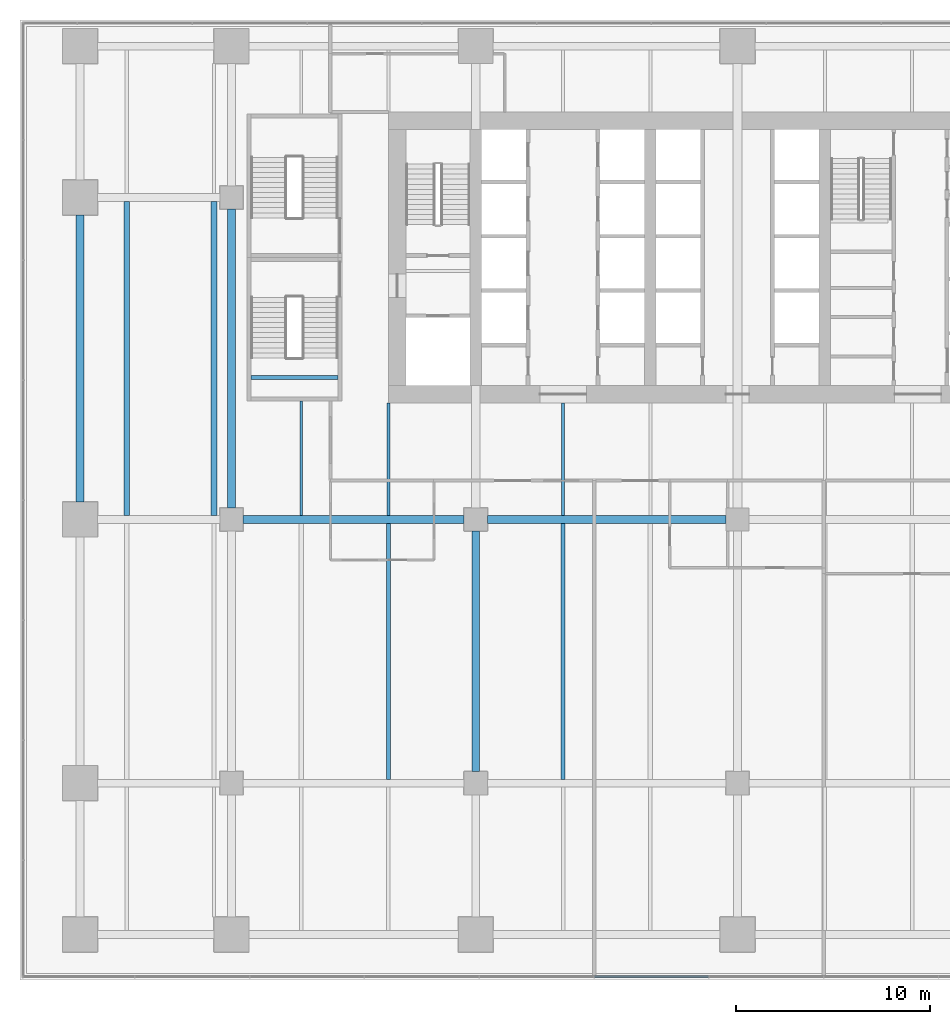
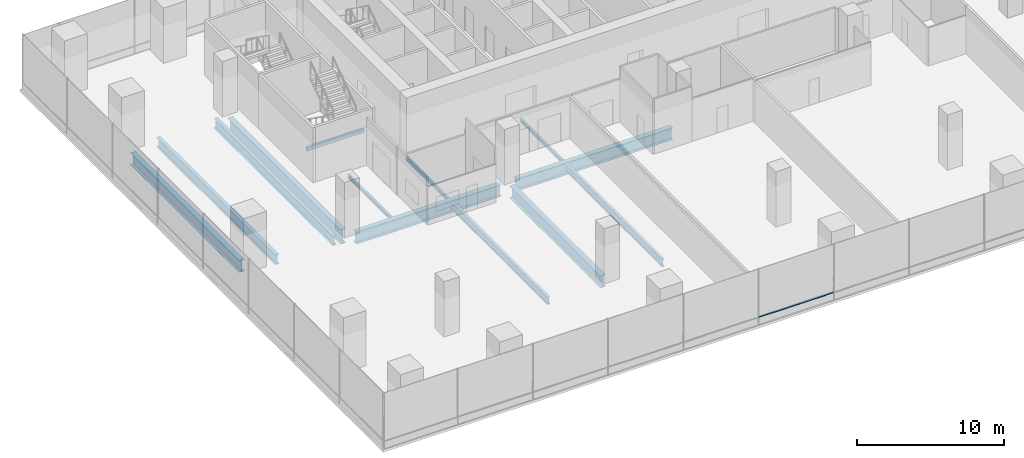
# One storey, part 5 of 28: 13 beams, 1 member, 1 element without a shape of its own.
"""IFC4 building model written with IfcOpenShell, lengths in metres."""

from ifc_helpers import new_model, si_unit, direction, frame, origin, origin_2d, place, context, subcontext, project, spatial, rectangle, i_section, extrude, material, layer, layer_set, material_profile, profile_set, type_object, element, aggregate, save


model = new_model("IFC4")

# Units and contexts
model_context = context("Model", 3, precision=1e-05, world=origin(), true_north=direction((0.0, 1.0)))
body_context = subcontext(model_context, "Body", "Model", "MODEL_VIEW")
ifc_project = project(units=[si_unit("LENGTHUNIT", "METRE"), si_unit("AREAUNIT", "SQUARE_METRE"), si_unit("VOLUMEUNIT", "CUBIC_METRE"), si_unit("PLANEANGLEUNIT", "RADIAN"), si_unit("MASSUNIT", "GRAM", prefix="KILO")], contexts=[model_context])

# Site, building, storey
site_placement = place(None, origin())
site = spatial("IfcSite", under=ifc_project, at=site_placement, CompositionType="ELEMENT")
building_placement = place(site_placement, origin())
building = spatial("IfcBuilding", under=site, at=building_placement, Name="Rattan Terrace Tower", CompositionType="ELEMENT")
storey_placement = place(building_placement, frame((0.0, 0.0, 22.199951171875)))
storey = spatial("IfcBuildingStorey", under=building, at=storey_placement, Name="L04", CompositionType="ELEMENT", Elevation=22.199951171875)

# Beams
ifc_material_1 = material(Name="Concrete C40/50", Category="concrete")
ifc_material_profile_1 = material_profile(ifc_material_1, rectangle(XDim=0.199951171875, YDim=0.300048828125, at=origin_2d()), Name="RC 200x300")
ifc_profile_set_1 = profile_set([ifc_material_profile_1], Name="Concrete C40/50")
beam_type_1 = type_object("IfcBeamType", Name="Core landing beam RC 200x300", PredefinedType="BEAM", material=ifc_profile_set_1)
beam_1_placement = place(storey_placement, frame((-25.10009765625, -6.18505859375, 2.050048828125), z_axis=(1.0, 0.0, 0.0), x_axis=(0.0, 1.0, 0.0)))
element("IfcBeam", 1, at=beam_1_placement, inside=storey, type_object=beam_type_1, Name="st-S4-L04 landing 1 edge beam", PredefinedType="BEAM", context=body_context, shape_type="SweptSolid", body=[
    extrude(rectangle(XDim=0.199951171875, YDim=0.300048828125, at=origin_2d()), origin(), (0.0, 0.0, 1.0), 4.5),
])
ifc_material_2 = material(Name="Steel S355", Category="steel")
ifc_material_profile_2 = material_profile(ifc_material_2, i_section(OverallWidth=0.300048828125, OverallDepth=0.800048828125, WebThickness=0.017578125, FlangeThickness=0.032958984375, FilletRadius=0.030029296875, at=origin_2d()), Name="HE 800 B")
ifc_profile_set_2 = profile_set([ifc_material_profile_2], Name="Steel S355")
beam_type_2 = type_object("IfcBeamType", Name="Frame floor beam HE 800 B", PredefinedType="JOIST", material=ifc_profile_set_2)
for number, where, z_axis, x_axis, name in (
    (2, (-31.5, -13.300048828125, -0.599853515625), (0.0, 1.0, 0.0), (-1.0, 0.0, 0.0), "bm-L04-027"),
    (3, (-27.0, -13.300048828125, -0.599853515625), (0.0, 1.0, 0.0), (-1.0, 0.0, 0.0), "bm-L04-028"),
):
    element("IfcBeam", number, at=place(storey_placement, frame(where, z_axis=z_axis, x_axis=x_axis)), inside=storey, type_object=beam_type_2, Name=name, PredefinedType="JOIST", context=body_context, shape_type="SweptSolid", body=[
        extrude(i_section(OverallWidth=0.300048828125, OverallDepth=0.800048828125, WebThickness=0.017578125, FlangeThickness=0.032958984375, FilletRadius=0.030029296875, at=origin_2d()), origin(), (0.0, 0.0, 1.0), 16.199951171875),
    ])
ifc_material_3 = material(Name="Steel S355", Category="steel")
ifc_material_profile_3 = material_profile(ifc_material_3, i_section(OverallWidth=0.14990234375, OverallDepth=0.300048828125, WebThickness=0.007080078125, FlangeThickness=0.0107421875, FilletRadius=0.014892578125, at=origin_2d()), Name="IPE 300")
ifc_profile_set_3 = profile_set([ifc_material_profile_3], Name="Steel S355")
beam_type_3 = type_object("IfcBeamType", Name="Frame floor beam IPE 300", PredefinedType="JOIST", material=ifc_profile_set_3)
beam_2_placement = place(storey_placement, frame((-22.5, -13.300048828125, -0.349853515625), z_axis=(0.0, 1.0, 0.0), x_axis=(-1.0, 0.0, 0.0)))
element("IfcBeam", 4, at=beam_2_placement, inside=storey, type_object=beam_type_3, Name="bm-L04-029", PredefinedType="JOIST", context=body_context, shape_type="SweptSolid", body=[
    extrude(i_section(OverallWidth=0.14990234375, OverallDepth=0.300048828125, WebThickness=0.007080078125, FlangeThickness=0.0107421875, FilletRadius=0.014892578125, at=origin_2d()), origin(), (0.0, 0.0, 1.0), 5.900146484375),
])
for number, where, z_axis, x_axis, name in (
    (5, (-18.0, -13.300048828125, -0.349853515625), (0.0, 1.0, 0.0), (-1.0, 0.0, 0.0), "bm-L04-030"),
    (6, (-9.0, -13.300048828125, -0.349853515625), (0.0, 1.0, 0.0), (-1.0, 0.0, 0.0), "bm-L04-031"),
):
    element("IfcBeam", number, at=place(storey_placement, frame(where, z_axis=z_axis, x_axis=x_axis)), inside=storey, type_object=beam_type_3, Name=name, PredefinedType="JOIST", context=body_context, shape_type="SweptSolid", body=[
        extrude(i_section(OverallWidth=0.14990234375, OverallDepth=0.300048828125, WebThickness=0.007080078125, FlangeThickness=0.0107421875, FilletRadius=0.014892578125, at=origin_2d()), origin(), (0.0, 0.0, 1.0), 5.800048828125),
    ])
ifc_material_4 = material(Name="Steel S355", Category="steel")
ifc_material_profile_4 = material_profile(ifc_material_4, i_section(OverallWidth=0.22412109375, OverallDepth=0.610107421875, WebThickness=0.014892578125, FlangeThickness=0.02392578125, FilletRadius=0.02392578125, at=origin_2d()), Name="IPE O 600")
ifc_profile_set_4 = profile_set([ifc_material_profile_4], Name="Steel S355")
beam_type_4 = type_object("IfcBeamType", Name="Frame floor beam IPE O 600", PredefinedType="JOIST", material=ifc_profile_set_4)
for number, where, z_axis, x_axis, name in (
    (7, (-18.0, -26.89990234375, -0.5048828125), (0.0, 1.0, 0.0), (-1.0, 0.0, 0.0), "bm-L04-018"),
    (8, (-9.0, -26.89990234375, -0.5048828125), (0.0, 1.0, 0.0), (-1.0, 0.0, 0.0), "bm-L04-019"),
):
    element("IfcBeam", number, at=place(storey_placement, frame(where, z_axis=z_axis, x_axis=x_axis)), inside=storey, type_object=beam_type_4, Name=name, PredefinedType="JOIST", context=body_context, shape_type="SweptSolid", body=[
        extrude(i_section(OverallWidth=0.22412109375, OverallDepth=0.610107421875, WebThickness=0.014892578125, FlangeThickness=0.02392578125, FilletRadius=0.02392578125, at=origin_2d()), origin(), (0.0, 0.0, 1.0), 13.199951171875),
    ])
ifc_material_5 = material(Name="Steel S460", Category="steel")
ifc_material_profile_5 = material_profile(ifc_material_5, i_section(OverallWidth=0.39990234375, OverallDepth=1.0, WebThickness=0.01806640625, FlangeThickness=0.044921875, at=origin_2d()), Name="PG 1000x400-18-45")
ifc_profile_set_5 = profile_set([ifc_material_profile_5], Name="Steel S460")
beam_type_5 = type_object("IfcBeamType", Name="Frame podium girder PG 1000x400-18-45", PredefinedType="USERDEFINED", material=ifc_profile_set_5)
beam_3_placement = place(storey_placement, frame((-13.5, -26.5, -0.699951171875), z_axis=(0.0, 1.0, 0.0), x_axis=(-1.0, 0.0, 0.0)))
element("IfcBeam", 9, at=beam_3_placement, inside=storey, type_object=beam_type_5, Name="gdr-L04-021", ObjectType="PODIUM GIRDER", PredefinedType="USERDEFINED", context=body_context, shape_type="SweptSolid", body=[
    extrude(i_section(OverallWidth=0.39990234375, OverallDepth=1.0, WebThickness=0.01806640625, FlangeThickness=0.044921875, at=origin_2d()), origin(), (0.0, 0.0, 1.0), 12.39990234375),
])
beam_4_placement = place(storey_placement, frame((-25.5, -13.5, -0.699951171875), z_axis=(1.0, 0.0, 0.0), x_axis=(0.0, 1.0, 0.0)))
element("IfcBeam", 10, at=beam_4_placement, inside=storey, type_object=beam_type_5, Name="gdr-L04-028", ObjectType="PODIUM GIRDER", PredefinedType="USERDEFINED", context=body_context, shape_type="SweptSolid", body=[
    extrude(i_section(OverallWidth=0.39990234375, OverallDepth=1.0, WebThickness=0.01806640625, FlangeThickness=0.044921875, at=origin_2d()), origin(), (0.0, 0.0, 1.0), 11.39990234375),
])
beam_5_placement = place(storey_placement, frame((-12.89990234375, -13.5, -0.699951171875), z_axis=(1.0, 0.0, 0.0), x_axis=(0.0, 1.0, 0.0)))
element("IfcBeam", 11, at=beam_5_placement, inside=storey, type_object=beam_type_5, Name="gdr-L04-029", ObjectType="PODIUM GIRDER", PredefinedType="USERDEFINED", context=body_context, shape_type="SweptSolid", body=[
    extrude(i_section(OverallWidth=0.39990234375, OverallDepth=1.0, WebThickness=0.01806640625, FlangeThickness=0.044921875, at=origin_2d()), origin(), (0.0, 0.0, 1.0), 12.2998046875),
])
beam_6_placement = place(storey_placement, frame((-33.89990234375, -12.60009765625, -0.699951171875), z_axis=(0.0, 1.0, 0.0), x_axis=(-1.0, 0.0, 0.0)))
element("IfcBeam", 12, at=beam_6_placement, inside=storey, type_object=beam_type_5, Name="gdr-L04-038", ObjectType="PODIUM GIRDER", PredefinedType="USERDEFINED", context=body_context, shape_type="SweptSolid", body=[
    extrude(i_section(OverallWidth=0.39990234375, OverallDepth=1.0, WebThickness=0.01806640625, FlangeThickness=0.044921875, at=origin_2d()), origin(), (0.0, 0.0, 1.0), 14.800048828125),
])
ifc_material_6 = material(Name="Steel S460", Category="steel")
ifc_material_profile_6 = material_profile(ifc_material_6, i_section(OverallWidth=0.39990234375, OverallDepth=1.199951171875, WebThickness=0.02001953125, FlangeThickness=0.050048828125, at=origin_2d()), Name="PG 1200x400-20-50")
ifc_profile_set_6 = profile_set([ifc_material_profile_6], Name="Steel S460")
beam_type_6 = type_object("IfcBeamType", Name="Frame podium girder PG 1200x400-20-50", PredefinedType="USERDEFINED", material=ifc_profile_set_6)
beam_7_placement = place(storey_placement, frame((-26.10009765625, -12.89990234375, -0.800048828125), z_axis=(0.0, 1.0, 0.0), x_axis=(-1.0, 0.0, 0.0)))
element("IfcBeam", 13, at=beam_7_placement, inside=storey, type_object=beam_type_6, Name="gdr-L04-033", ObjectType="PODIUM GIRDER", PredefinedType="USERDEFINED", context=body_context, shape_type="SweptSolid", body=[
    extrude(i_section(OverallWidth=0.39990234375, OverallDepth=1.199951171875, WebThickness=0.02001953125, FlangeThickness=0.050048828125, at=origin_2d()), origin(), (0.0, 0.0, 1.0), 15.39990234375),
])

# Curtain wall, member
ifc_material_7 = material(Name="Aluminium and glass", Category="aluminium")
ifc_layer = layer(ifc_material_7, 0.1201171875)
ifc_layer_set = layer_set([ifc_layer], Name="Station Storefront Curtain Wall")
curtain_wall_type = type_object("IfcCurtainWallType", Name="Station Storefront Curtain Wall", PredefinedType="NOTDEFINED", material=ifc_layer_set)
curtain_wall_placement = place(storey_placement, origin())
curtain_wall = element("IfcCurtainWall", 14, at=curtain_wall_placement, inside=storey, type_object=curtain_wall_type, Name="Storefront curtain wall L04-4", PredefinedType="NOTDEFINED")
ifc_material_8 = material(Name="Aluminium", Category="aluminium")
ifc_material_profile_7 = material_profile(ifc_material_8, rectangle(XDim=0.10009765625, YDim=0.050048828125, at=origin_2d()), Name="Aluminium 100x50")
ifc_profile_set_7 = profile_set([ifc_material_profile_7], Name="Aluminium")
member_type = type_object("IfcMemberType", Name="Storefront CW Transom 100x50", PredefinedType="USERDEFINED", material=ifc_profile_set_7)
member_placement = place(storey_placement, frame((-7.375, -37.080078125, 0.60009765625), z_axis=(1.0, 0.0, 0.0), x_axis=(0.0, 1.0, 0.0)))
member = element("IfcMember", 15, at=member_placement, type_object=member_type, Name="Transom cwl-L04-004.6", ObjectType="TRANSOM", PredefinedType="USERDEFINED", context=body_context, shape_type="SweptSolid", body=[
    extrude(rectangle(XDim=0.10009765625, YDim=0.050048828125, at=origin_2d()), origin(), (0.0, 0.0, 1.0), 5.8701171875),
])
aggregate(curtain_wall, [member])

save(model, "model.ifc")
